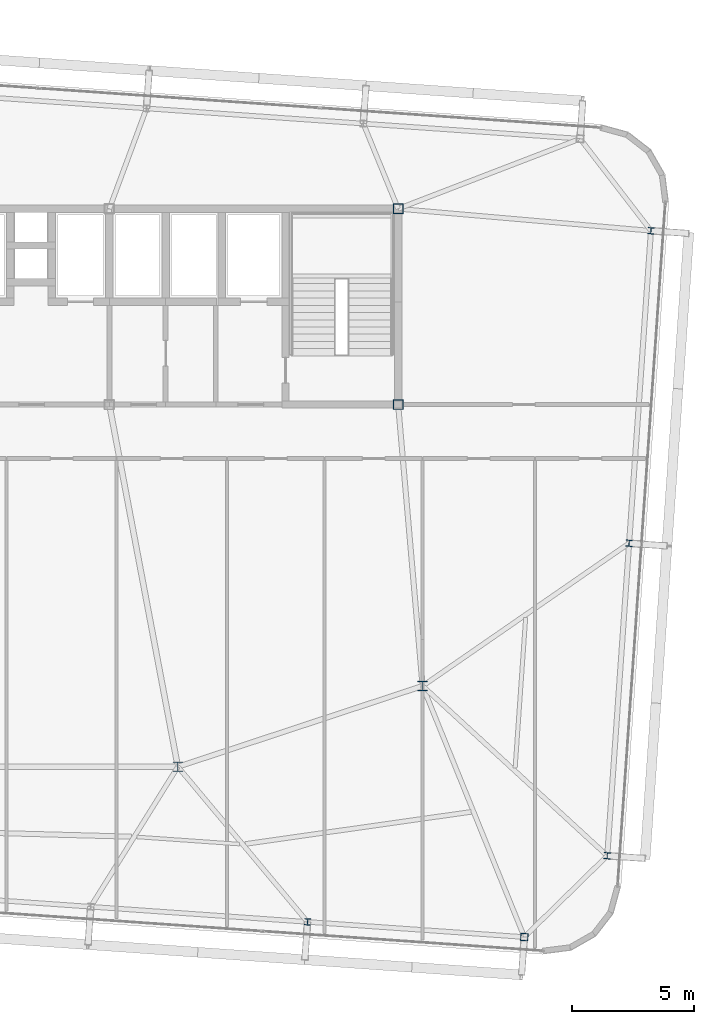
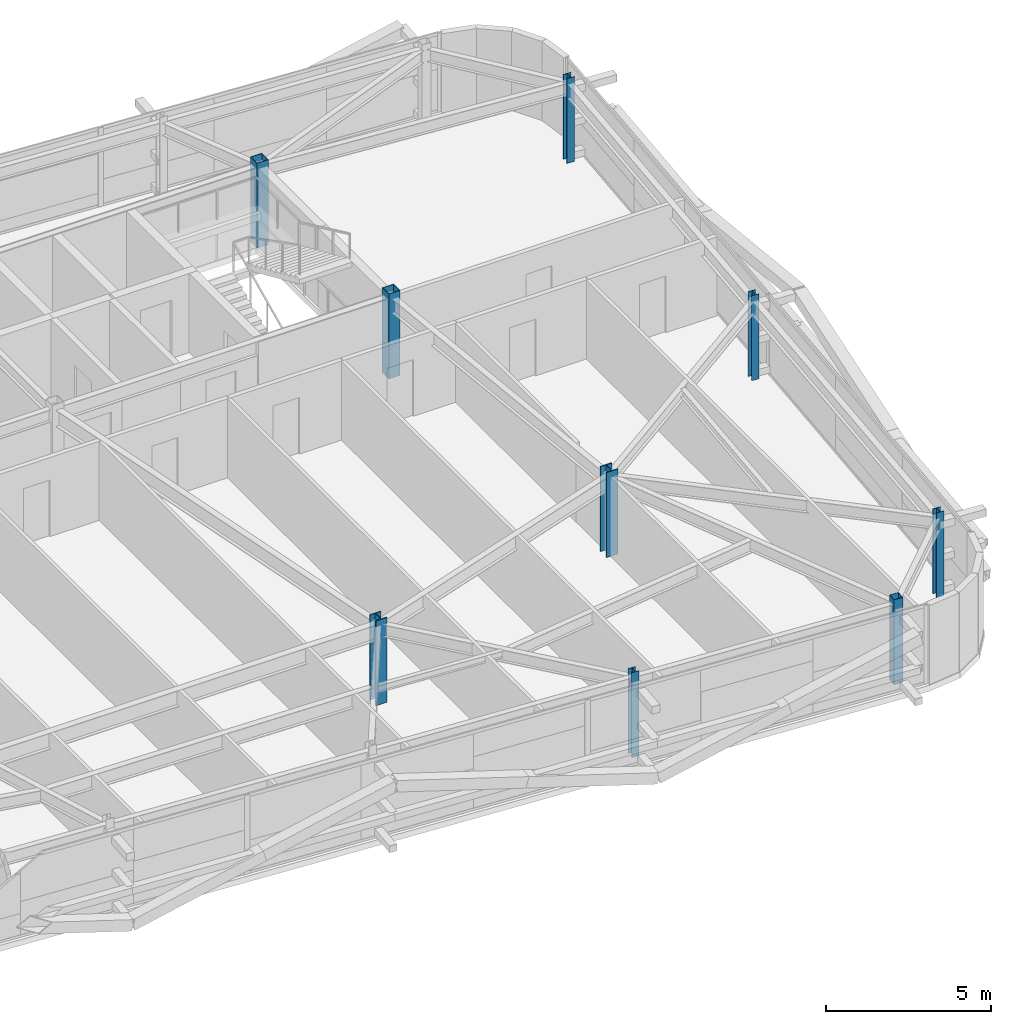
# One storey, part 3 of 39: 9 columns.
"""IFC4 building model written with IfcOpenShell, lengths in metres."""

from ifc_helpers import new_model, si_unit, direction, frame, origin, origin_2d, place, context, subcontext, project, spatial, hollow_rectangle, i_section, extrude, source, transform, mapped, material, material_profile, profile_set, type_object, element, save


model = new_model("IFC4")

# Units and contexts
model_context = context("Model", 3, precision=1e-05, world=origin(), true_north=direction((0.0, 1.0)))
body_context = subcontext(model_context, "Body", "Model", "MODEL_VIEW")
ifc_project = project(units=[si_unit("LENGTHUNIT", "METRE"), si_unit("AREAUNIT", "SQUARE_METRE"), si_unit("VOLUMEUNIT", "CUBIC_METRE"), si_unit("PLANEANGLEUNIT", "RADIAN"), si_unit("MASSUNIT", "GRAM", prefix="KILO")], contexts=[model_context])

# Site, building, storey
site_placement = place(None, origin())
site = spatial("IfcSite", under=ifc_project, at=site_placement, CompositionType="ELEMENT")
building_placement = place(site_placement, origin())
building = spatial("IfcBuilding", under=site, at=building_placement, Name="Taldren Reach Tower", CompositionType="ELEMENT")
storey_placement = place(building_placement, frame((0.0, 0.0, 158.199951171875)))
storey = spatial("IfcBuildingStorey", under=building, at=storey_placement, Name="L48", CompositionType="ELEMENT", Elevation=158.199951171875)

# Columns
ifc_material_1 = material(Name="Steel Gr 350 (350PLUS)", Category="steel")
ifc_material_profile_1 = material_profile(ifc_material_1, i_section(OverallWidth=0.39990234375, OverallDepth=0.39599609375, WebThickness=0.02197265625, FlangeThickness=0.033935546875, at=origin_2d()), Name="400WC270")
ifc_profile_set_1 = profile_set([ifc_material_profile_1], Name="Steel Gr 350 (350PLUS)")
column_type_1 = type_object("IfcColumnType", Name="COL-WC400", PredefinedType="COLUMN", material=ifc_profile_set_1)
shared_shape_1 = source(origin(), body_context, "Body", "SweptSolid", [
    extrude(i_section(OverallWidth=0.39990234375, OverallDepth=0.39599609375, WebThickness=0.02197265625, FlangeThickness=0.033935546875, at=origin_2d()), origin(), (0.0, 0.0, 1.0), 3.150146484375),
])
for number, where, z_axis, x_axis, name in (
    (1, (42.0, 9.199951171875, 0.0), (0.0, 0.0, 1.0), (1.0, 0.0, 0.0), "Mega column MC-PJE L48"),
    (2, (52.0, 12.5, 0.0), (0.0, 0.0, 1.0), (1.0, 0.0, 0.0), "Mega column MC-SE L48"),
):
    element("IfcColumn", number, at=place(storey_placement, frame(where, z_axis=z_axis, x_axis=x_axis)), inside=storey, type_object=column_type_1, Name=name, PredefinedType="COLUMN", context=body_context, shape_type="MappedRepresentation", body=[
        mapped(shared_shape_1, transform((0.0, 0.0, 0.0), scale=1.0)),
    ])
ifc_material_2 = material(Name="Steel Gr 450 (C450L0)", Category="steel")
ifc_material_profile_2 = material_profile(ifc_material_2, hollow_rectangle(XDim=0.39990234375, YDim=0.39990234375, WallThickness=0.01611328125, at=origin_2d()), Name="400x400x16.0SHS")
ifc_profile_set_2 = profile_set([ifc_material_profile_2], Name="Steel Gr 450 (C450L0)")
column_type_2 = type_object("IfcColumnType", Name="COL-SHS400", PredefinedType="COLUMN", material=ifc_profile_set_2)
shared_shape_2 = source(origin(), body_context, "Body", "SweptSolid", [
    extrude(hollow_rectangle(XDim=0.39990234375, YDim=0.39990234375, WallThickness=0.01611328125, at=origin_2d()), origin(), (0.0, 0.0, 1.0), 3.150146484375),
])
for number, where, z_axis, x_axis, name in (
    (3, (51.0, 24.0, 0.0), (0.0, 0.0, 1.0), (1.0, 0.0, 0.0), "Mega column MC-C4 L48"),
    (4, (51.0, 32.0, 0.0), (0.0, 0.0, 1.0), (1.0, 0.0, 0.0), "Mega column MC-C8 L48"),
):
    element("IfcColumn", number, at=place(storey_placement, frame(where, z_axis=z_axis, x_axis=x_axis)), inside=storey, type_object=column_type_2, Name=name, PredefinedType="COLUMN", context=body_context, shape_type="MappedRepresentation", body=[
        mapped(shared_shape_2, transform((0.0, 0.0, 0.0), scale=1.0)),
    ])
ifc_material_profile_3 = material_profile(ifc_material_2, hollow_rectangle(XDim=0.300048828125, YDim=0.300048828125, WallThickness=0.012451171875, at=origin_2d()), Name="300x300x12.5SHS")
ifc_profile_set_3 = profile_set([ifc_material_profile_3], Name="Steel Gr 450 (C450L0)")
column_type_3 = type_object("IfcColumnType", Name="COL-SHS300", PredefinedType="COLUMN", material=ifc_profile_set_3)
shared_shape_3 = source(origin(), body_context, "Body", "SweptSolid", [
    extrude(hollow_rectangle(XDim=0.300048828125, YDim=0.300048828125, WallThickness=0.012451171875, at=origin_2d()), origin(), (0.0, 0.0, 1.0), 3.150146484375),
])
column_placement = place(storey_placement, frame((56.155517578125, 2.2412109375, 0.0), z_axis=(0.0, 0.0, 1.0), x_axis=(0.99756405026, -0.069756473744, 0.0)))
element("IfcColumn", 5, at=column_placement, inside=storey, type_object=column_type_3, Name="Block B3 perimeter column S6 L48", PredefinedType="COLUMN", context=body_context, shape_type="MappedRepresentation", body=[
    mapped(shared_shape_3, transform((0.0, 0.0, 0.0), scale=1.0)),
])
ifc_material_profile_4 = material_profile(ifc_material_1, i_section(OverallWidth=0.256103515625, OverallDepth=0.260009765625, WebThickness=0.010498046875, FlangeThickness=0.017333984375, at=origin_2d()), Name="250UC89.5")
ifc_profile_set_4 = profile_set([ifc_material_profile_4], Name="Steel Gr 350 (350PLUS)")
column_type_4 = type_object("IfcColumnType", Name="COL-UC250", PredefinedType="COLUMN", material=ifc_profile_set_4)
shared_shape_4 = source(origin(), body_context, "Body", "SweptSolid", [
    extrude(i_section(OverallWidth=0.256103515625, OverallDepth=0.260009765625, WebThickness=0.010498046875, FlangeThickness=0.017333984375, at=origin_2d()), origin(), (0.0, 0.0, 1.0), 3.150146484375),
])
for number, where, z_axis, x_axis, name in (
    (6, (47.297119140625, 2.860595703125, 0.0), (0.0, 0.0, 1.0), (0.99756405026, -0.069756473744, 0.0), "Block B3 perimeter column S5 L48"),
    (7, (59.54541015625, 5.562744140625, 0.0), (0.0, 0.0, 1.0), (0.99756405026, -0.069756473744, 0.0), "Block B3 perimeter column E1 L48"),
    (8, (60.438232421875, 18.331787109375, 0.0), (0.0, 0.0, 1.0), (0.99756405026, -0.069756473744, 0.0), "Block B3 perimeter column E2 L48"),
    (9, (61.3310546875, 31.1005859375, 0.0), (0.0, 0.0, 1.0), (0.99756405026, -0.069756473744, 0.0), "Block B3 perimeter column E3 L48"),
):
    element("IfcColumn", number, at=place(storey_placement, frame(where, z_axis=z_axis, x_axis=x_axis)), inside=storey, type_object=column_type_4, Name=name, PredefinedType="COLUMN", context=body_context, shape_type="MappedRepresentation", body=[
        mapped(shared_shape_4, transform((0.0, 0.0, 0.0), scale=1.0)),
    ])

save(model, "model.ifc")
